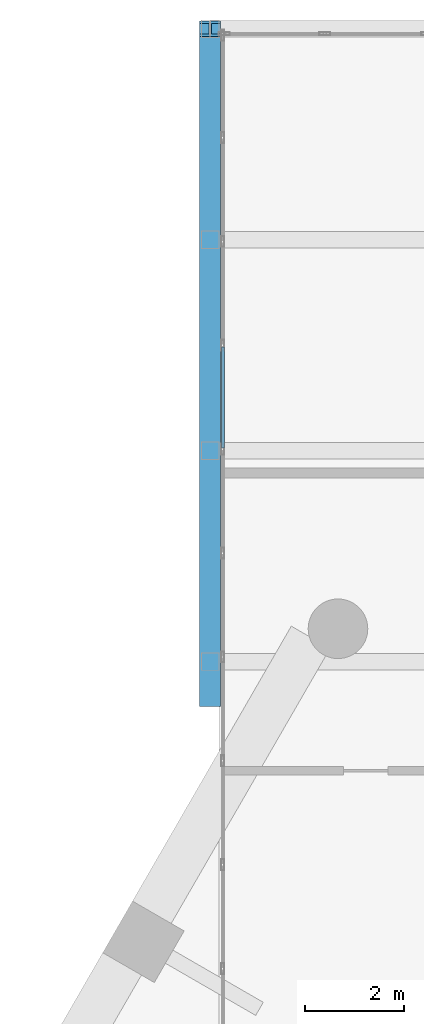
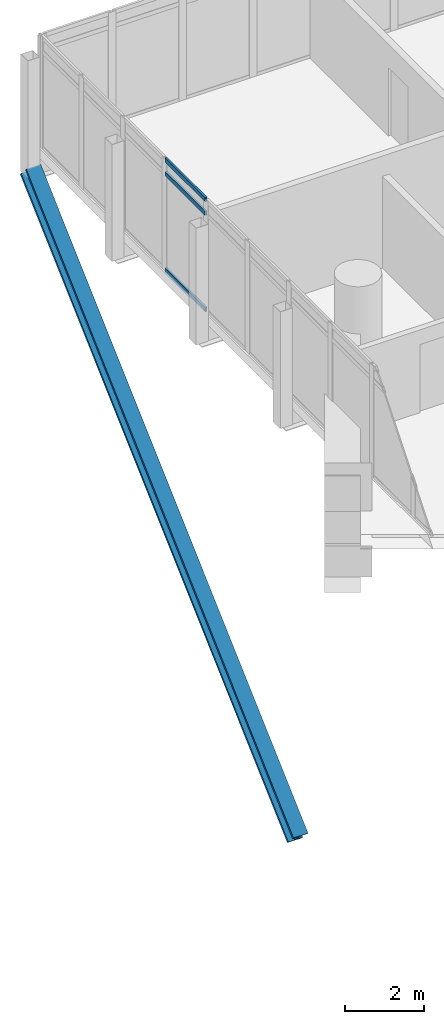
# One storey, part 17 of 37: 4 members, 1 element without a shape of its own.
"""IFC4 building model written with IfcOpenShell, lengths in metres."""

from ifc_helpers import new_model, si_unit, direction, frame, origin, origin_2d, place, context, subcontext, project, spatial, hollow_rectangle, i_section, extrude, material, material_profile, profile_set, type_object, element, aggregate, save


model = new_model("IFC4")

# Units and contexts
model_context = context("Model", 3, precision=1e-05, world=origin(), true_north=direction((0.0, 1.0)))
body_context = subcontext(model_context, "Body", "Model", "MODEL_VIEW")
ifc_project = project(units=[si_unit("LENGTHUNIT", "METRE"), si_unit("AREAUNIT", "SQUARE_METRE"), si_unit("VOLUMEUNIT", "CUBIC_METRE"), si_unit("PLANEANGLEUNIT", "RADIAN"), si_unit("MASSUNIT", "GRAM", prefix="KILO")], contexts=[model_context])

# Site, building, storey
site_placement = place(None, origin())
site = spatial("IfcSite", under=ifc_project, at=site_placement, CompositionType="ELEMENT")
building_placement = place(site_placement, origin())
building = spatial("IfcBuilding", under=site, at=building_placement, Name="Ostrander Bayou Hotel Tower", CompositionType="ELEMENT")
storey_placement = place(building_placement, frame((0.0, 0.0, 93.0)))
storey = spatial("IfcBuildingStorey", under=building, at=storey_placement, Name="L23", CompositionType="ELEMENT", Elevation=93.0)

# Curtain wall, members
ifc_material_1 = material(Name="Aluminium and clear glass", Category="aluminium")
curtain_wall_type = type_object("IfcCurtainWallType", Name="CW-BAR glazed wall", PredefinedType="NOTDEFINED", material=ifc_material_1)
curtain_wall_placement = place(storey_placement, origin())
curtain_wall = element("IfcCurtainWall", 1, at=curtain_wall_placement, inside=storey, type_object=curtain_wall_type, Name="CW-BAR L23:SB2N:E", PredefinedType="NOTDEFINED")
ifc_material_2 = material(Name="Aluminium", Category="aluminium")
ifc_material_profile_1 = material_profile(ifc_material_2, hollow_rectangle(XDim=0.06005859375, YDim=0.1298828125, WallThickness=0.00390625, at=origin_2d()))
ifc_profile_set_1 = profile_set([ifc_material_profile_1], Name="Aluminium")
member_type_1 = type_object("IfcMemberType", Name="CW-BR transom 60 x 130 mm", PredefinedType="USERDEFINED", material=ifc_profile_set_1)
member_1_placement = place(storey_placement, frame((-13.3671875, 23.105224609375, 0.030029296875), z_axis=(0.0, 1.0, 0.0), x_axis=(-1.0, 0.0, 0.0)))
member_1 = element("IfcMember", 2, at=member_1_placement, type_object=member_type_1, Name="CW-BAR transom 7.1", ObjectType="TRANSOM", PredefinedType="USERDEFINED", context=body_context, shape_type="SweptSolid", body=[
    extrude(hollow_rectangle(XDim=0.06005859375, YDim=0.1298828125, WallThickness=0.00390625, at=origin_2d()), origin(), (0.0, 0.0, 1.0), 2.032470703125),
])
member_2_placement = place(storey_placement, frame((-13.3671875, 23.105224609375, 3.0), z_axis=(0.0, 1.0, 0.0), x_axis=(-1.0, 0.0, 0.0)))
member_2 = element("IfcMember", 3, at=member_2_placement, type_object=member_type_1, Name="CW-BAR transom 7.2", ObjectType="TRANSOM", PredefinedType="USERDEFINED", context=body_context, shape_type="SweptSolid", body=[
    extrude(hollow_rectangle(XDim=0.06005859375, YDim=0.1298828125, WallThickness=0.00390625, at=origin_2d()), origin(), (0.0, 0.0, 1.0), 2.032470703125),
])
member_3_placement = place(storey_placement, frame((-13.3671875, 23.105224609375, 3.419921875), z_axis=(0.0, 1.0, 0.0), x_axis=(-1.0, 0.0, 0.0)))
member_3 = element("IfcMember", 4, at=member_3_placement, type_object=member_type_1, Name="CW-BAR transom 7.3", ObjectType="TRANSOM", PredefinedType="USERDEFINED", context=body_context, shape_type="SweptSolid", body=[
    extrude(hollow_rectangle(XDim=0.06005859375, YDim=0.1298828125, WallThickness=0.00390625, at=origin_2d()), origin(), (0.0, 0.0, 1.0), 2.032470703125),
])
aggregate(curtain_wall, [member_1, member_2, member_3])

# Member
ifc_material_3 = material(Name="Steel ASTM A992", Category="steel")
ifc_material_profile_2 = material_profile(ifc_material_3, i_section(OverallWidth=0.42138671875, OverallDepth=0.464599609375, WebThickness=0.044921875, FlangeThickness=0.072509765625, at=origin_2d()))
ifc_profile_set_2 = profile_set([ifc_material_profile_2], Name="Steel ASTM A992")
member_type_2 = type_object("IfcMemberType", Name="TK1 bar kicker strut W14x398", PredefinedType="BRACE", material=ifc_profile_set_2)
member_4_placement = place(storey_placement, frame((-13.6201171875, 31.54541015625, -0.671875), z_axis=(0.0, -0.735701590363, -0.677305817144), x_axis=(1.0, 0.0, 0.0)))
element("IfcMember", 5, at=member_4_placement, inside=storey, type_object=member_type_2, Name="TK1 SB2WA kicker", PredefinedType="BRACE", context=body_context, shape_type="SweptSolid", body=[
    extrude(i_section(OverallWidth=0.42138671875, OverallDepth=0.464599609375, WebThickness=0.044921875, FlangeThickness=0.072509765625, at=origin_2d()), origin(), (0.0, 0.0, 1.0), 18.349609375),
])

save(model, "model.ifc")
